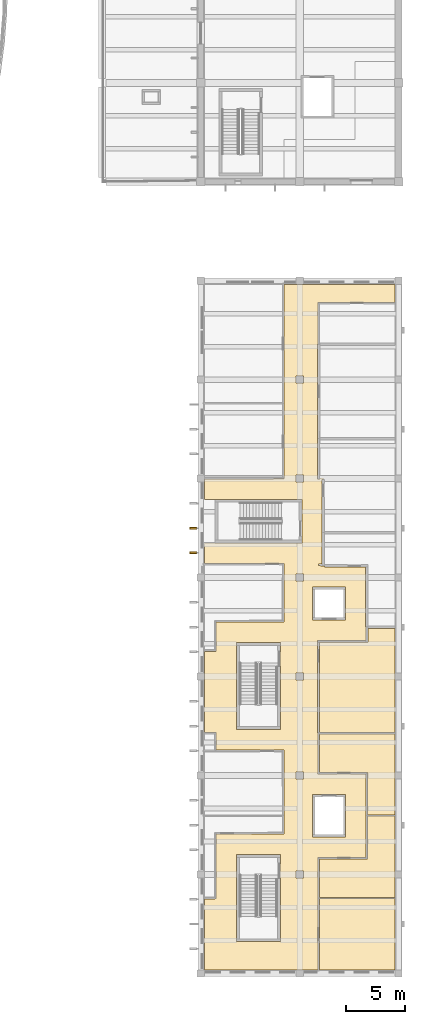
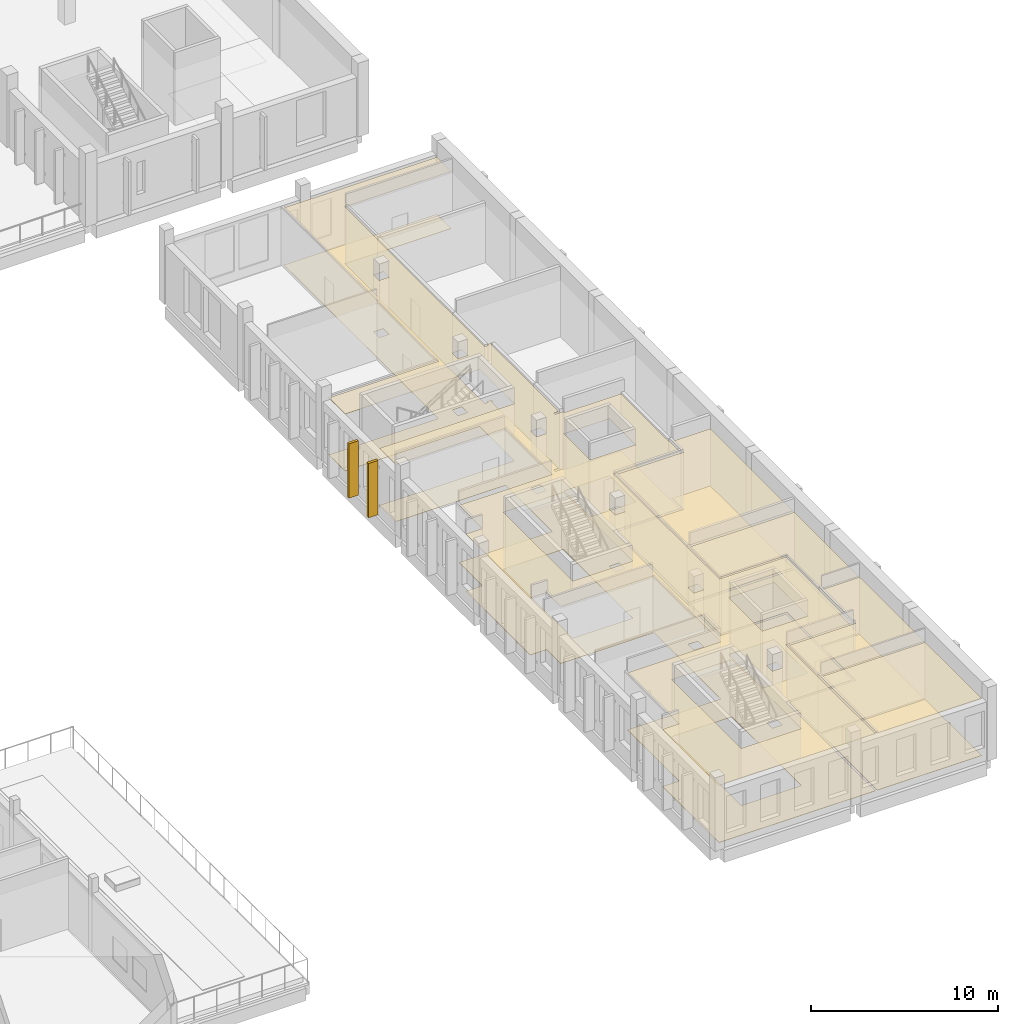
# One storey, part 85 of 103: 12 coverings.
"""IFC4 building model written with IfcOpenShell, lengths in metres."""

from ifc_helpers import new_model, si_unit, direction, frame, origin, place, context, subcontext, project, spatial, polyline, outline, extrude, material, layer, layer_set, type_object, element, save


model = new_model("IFC4")

# Units and contexts
model_context = context("Model", 3, precision=1e-05, world=origin(), true_north=direction((0.0, 1.0)))
body_context = subcontext(model_context, "Body", "Model", "MODEL_VIEW")
ifc_project = project(units=[si_unit("LENGTHUNIT", "METRE"), si_unit("AREAUNIT", "SQUARE_METRE"), si_unit("VOLUMEUNIT", "CUBIC_METRE"), si_unit("PLANEANGLEUNIT", "RADIAN"), si_unit("MASSUNIT", "GRAM", prefix="KILO")], contexts=[model_context])

# Site, building, storey
site_placement = place(None, origin())
site = spatial("IfcSite", under=ifc_project, at=site_placement, CompositionType="ELEMENT")
building_placement = place(site_placement, origin())
building = spatial("IfcBuilding", under=site, at=building_placement, Name="Larchfold Concert Hall", CompositionType="ELEMENT")
storey_placement = place(building_placement, frame((0.0, 0.0, 9.60009765625)))
storey = spatial("IfcBuildingStorey", under=building, at=storey_placement, Name="L02", CompositionType="ELEMENT", Elevation=9.60009765625)

# Coverings
ifc_material_1 = material(Name="Mineral fibre ceiling tile")
ifc_layer_1 = layer(ifc_material_1, 0.02001953125)
ifc_layer_set_1 = layer_set([ifc_layer_1], Name="Mineral fibre ceiling tile")
covering_type_1 = type_object("IfcCoveringType", Name="Ceiling mineral fibre tile 20", PredefinedType="CEILING", material=ifc_layer_set_1)
covering_1_placement = place(storey_placement, frame((0.0, 0.0, 3.719970703125)))
element("IfcCovering", 1, at=covering_1_placement, inside=storey, type_object=covering_type_1, Name="Ceiling Corridor 02", PredefinedType="CEILING", context=body_context, shape_type="SweptSolid", body=[
    extrude(outline(polyline([(84.900146484375, 6.97412109375), (84.900146484375, 0.900146484375), (94.53759765625, 0.900146484375), (94.53857421875, 10.456298828125), (98.636474609375, 10.46337890625), (98.636474609375, 17.53662109375), (98.661376953125, 17.53662109375), (94.53662109375, 17.54638671875), (94.53662109375, 21.02001953125), (94.524169921875, 21.02001953125), (94.523681640625, 28.86669921875), (98.623779296875, 28.875732421875), (98.6240234375, 28.822998046875), (98.6240234375, 30.02001953125), (98.598876953125, 30.02001953125), (98.598876953125, 35.09912109375), (98.654541015625, 35.09912109375), (95.0986328125, 35.108642578125), (95.098876953125, 35.20849609375), (94.59912109375, 35.209716796875), (94.607421875, 35.3505859375), (94.89892578125, 35.350830078125), (94.89892578125, 42.549072265625), (94.9990234375, 42.549072265625), (94.9990234375, 42.649169921875), (94.69921875, 42.65673828125), (94.69921875, 42.55908203125), (94.4990234375, 42.55908203125), (94.5, 54.02001953125), (94.53759765625, 54.02001953125), (94.53759765625, 57.553466796875), (101.099853515625, 57.5625), (101.099853515625, 59.099853515625), (91.66259765625, 59.099853515625), (91.66357421875, 42.594482421875), (84.920166015625, 42.58642578125), (84.920166015625, 42.649169921875), (84.900146484375, 42.649169921875), (84.900146484375, 40.840087890625), (85.800048828125, 40.841064453125), (85.800048828125, 40.85009765625), (93.199951171875, 40.85009765625), (93.199951171875, 37.14990234375), (85.800048828125, 37.14990234375), (85.800048828125, 37.159912109375), (84.900146484375, 37.159912109375), (84.900146484375, 35.41357421875), (91.66357421875, 35.404541015625), (91.659423828125, 30.4384765625), (85.91357421875, 30.4365234375), (85.91357421875, 30.4990234375), (85.9130859375, 27.94384765625), (84.900390625, 27.9375), (84.900146484375, 27.9609375), (84.900146484375, 21.0625), (85.911865234375, 21.05712890625), (85.913330078125, 19.5634765625), (85.850830078125, 19.5634765625), (91.661376953125, 19.5595703125), (91.66357421875, 12.446533203125), (85.91357421875, 12.4365234375), (85.9140625, 6.947021484375), (84.900390625, 6.9375), (84.900146484375, 6.97412109375)]), holes=[polyline([(96.89990234375, 15.800048828125), (96.89990234375, 12.199951171875), (94.10009765625, 12.199951171875), (94.10009765625, 15.800048828125), (96.89990234375, 15.800048828125)]), polyline([(96.89990234375, 33.39990234375), (96.89990234375, 30.60009765625), (94.10009765625, 30.60009765625), (94.10009765625, 33.39990234375), (96.89990234375, 33.39990234375)]), polyline([(92.699951171875, 9.300048828125), (93.300048828125, 9.300048828125), (93.300048828125, 8.699951171875), (92.699951171875, 8.699951171875), (92.699951171875, 9.300048828125)]), polyline([(92.699951171875, 17.699951171875), (93.300048828125, 17.699951171875), (93.300048828125, 17.099853515625), (92.699951171875, 17.099853515625), (92.699951171875, 17.699951171875)]), polyline([(92.699951171875, 26.10009765625), (93.300048828125, 26.10009765625), (93.300048828125, 25.5), (92.699951171875, 25.5), (92.699951171875, 26.10009765625)]), polyline([(92.699951171875, 34.5), (93.300048828125, 34.5), (93.300048828125, 33.89990234375), (92.699951171875, 33.89990234375), (92.699951171875, 34.5)]), polyline([(92.699951171875, 42.900146484375), (93.300048828125, 42.900146484375), (93.300048828125, 42.300048828125), (92.699951171875, 42.300048828125), (92.699951171875, 42.900146484375)]), polyline([(93.300048828125, 51.300048828125), (93.300048828125, 50.699951171875), (92.699951171875, 50.699951171875), (92.699951171875, 51.300048828125), (93.300048828125, 51.300048828125)]), polyline([(91.35009765625, 10.699951171875), (91.35009765625, 3.303955078125), (87.64990234375, 3.300048828125), (87.64990234375, 10.699951171875), (91.35009765625, 10.699951171875)]), polyline([(91.35009765625, 28.699951171875), (91.35009765625, 21.300048828125), (87.64990234375, 21.300048828125), (87.64990234375, 28.699951171875), (91.35009765625, 28.699951171875)])]), origin(), (0.0, 0.0, 1.0), 0.02001953125),
])
covering_2_placement = place(storey_placement, frame((0.0, 0.0, 3.719970703125)))
element("IfcCovering", 2, at=covering_2_placement, inside=storey, type_object=covering_type_1, Name="Ceiling Library Store", PredefinedType="CEILING", context=body_context, shape_type="SweptSolid", body=[
    extrude(outline(polyline([(94.656982421875, 28.717041015625), (94.674072265625, 28.717041015625), (94.674072265625, 21.02001953125), (94.66162109375, 21.02001953125), (94.66162109375, 21.0), (94.675048828125, 21.0), (94.675048828125, 21.074951171875), (101.099853515625, 21.074951171875), (101.099853515625, 29.89990234375), (98.800048828125, 29.89990234375), (98.800048828125, 30.0), (98.77392578125, 30.0), (98.77392578125, 28.72607421875), (94.656982421875, 28.717041015625)])), origin(), (0.0, 0.0, 1.0), 0.02001953125),
])
ifc_material_2 = material(Name="Plasterboard ceiling lining")
ifc_layer_2 = layer(ifc_material_2, 0.030029296875)
ifc_layer_set_2 = layer_set([ifc_layer_2], Name="Plasterboard ceiling lining")
covering_type_2 = type_object("IfcCoveringType", Name="Ceiling suspended plasterboard 30", PredefinedType="CEILING", material=ifc_layer_set_2)
covering_3_placement = place(storey_placement, frame((0.0, 0.0, 3.7099609375)))
element("IfcCovering", 3, at=covering_3_placement, inside=storey, type_object=covering_type_2, Name="Ceiling Orchestra Office 05", PredefinedType="CEILING", context=body_context, shape_type="SweptSolid", body=[
    extrude(outline(polyline([(94.6650390625, 7.0), (94.66259765625, 0.900146484375), (101.099853515625, 0.900146484375), (101.099853515625, 6.949951171875), (94.6650390625, 6.949951171875), (94.6650390625, 7.0)])), origin(), (0.0, 0.0, 1.0), 0.030029296875),
])
covering_4_placement = place(storey_placement, frame((0.0, 0.0, 3.7099609375)))
element("IfcCovering", 4, at=covering_4_placement, inside=storey, type_object=covering_type_2, Name="Ceiling Orchestra Office 06", PredefinedType="CEILING", context=body_context, shape_type="SweptSolid", body=[
    extrude(outline(polyline([(94.6650390625, 7.0), (94.6650390625, 7.050048828125), (101.099853515625, 7.050048828125), (101.099853515625, 13.949951171875), (98.764892578125, 13.949951171875), (98.761474609375, 14.0), (98.761474609375, 10.33837890625), (94.66357421875, 10.33154296875), (94.6650390625, 7.0)])), origin(), (0.0, 0.0, 1.0), 0.030029296875),
])
covering_5_placement = place(storey_placement, frame((0.0, 0.0, 3.7099609375)))
element("IfcCovering", 5, at=covering_5_placement, inside=storey, type_object=covering_type_2, Name="Ceiling Orchestra Office 07", PredefinedType="CEILING", context=body_context, shape_type="SweptSolid", body=[
    extrude(outline(polyline([(94.66162109375, 17.60888671875), (94.661865234375, 17.67138671875), (98.76171875, 17.661376953125), (98.761474609375, 14.0), (98.764892578125, 14.050048828125), (101.099853515625, 14.050048828125), (101.099853515625, 20.925048828125), (94.675048828125, 20.925048828125), (94.675048828125, 21.0), (94.66162109375, 21.0), (94.66162109375, 17.60888671875)])), origin(), (0.0, 0.0, 1.0), 0.030029296875),
])
ifc_material_3 = material(Name="Linoleum sheet")
ifc_layer_3 = layer(ifc_material_3, 0.02001953125)
ifc_layer_set_3 = layer_set([ifc_layer_3], Name="Linoleum sheet")
covering_type_3 = type_object("IfcCoveringType", Name="Floor finish vinyl 20", PredefinedType="FLOORING", material=ifc_layer_set_3)
covering_6_placement = place(storey_placement, origin())
element("IfcCovering", 6, at=covering_6_placement, inside=storey, type_object=covering_type_3, Name="Floor finish Corridor 02", PredefinedType="FLOORING", context=body_context, shape_type="SweptSolid", body=[
    extrude(outline(polyline([(84.900146484375, 6.97412109375), (84.900146484375, 0.900146484375), (94.53759765625, 0.900146484375), (94.53857421875, 10.456298828125), (98.636474609375, 10.46337890625), (98.636474609375, 17.53662109375), (98.661376953125, 17.53662109375), (94.53662109375, 17.54638671875), (94.53662109375, 21.02001953125), (94.524169921875, 21.02001953125), (94.523681640625, 28.86669921875), (98.623779296875, 28.875732421875), (98.6240234375, 28.822998046875), (98.6240234375, 30.02001953125), (98.598876953125, 30.02001953125), (98.598876953125, 35.09912109375), (98.654541015625, 35.09912109375), (95.0986328125, 35.108642578125), (95.098876953125, 35.20849609375), (94.59912109375, 35.209716796875), (94.607421875, 35.3505859375), (94.89892578125, 35.350830078125), (94.89892578125, 42.549072265625), (94.9990234375, 42.549072265625), (94.9990234375, 42.649169921875), (94.69921875, 42.65673828125), (94.69921875, 42.55908203125), (94.4990234375, 42.55908203125), (94.5, 54.02001953125), (94.53759765625, 54.02001953125), (94.53759765625, 57.553466796875), (101.099853515625, 57.5625), (101.099853515625, 59.099853515625), (91.66259765625, 59.099853515625), (91.66357421875, 42.594482421875), (84.920166015625, 42.58642578125), (84.920166015625, 42.649169921875), (84.900146484375, 42.649169921875), (84.900146484375, 40.840087890625), (85.800048828125, 40.841064453125), (85.800048828125, 40.85009765625), (93.199951171875, 40.85009765625), (93.199951171875, 37.14990234375), (85.800048828125, 37.14990234375), (85.800048828125, 37.159912109375), (84.900146484375, 37.159912109375), (84.900146484375, 35.41357421875), (91.66357421875, 35.404541015625), (91.659423828125, 30.4384765625), (85.91357421875, 30.4365234375), (85.91357421875, 30.4990234375), (85.9130859375, 27.94384765625), (84.900390625, 27.9375), (84.900146484375, 27.9609375), (84.900146484375, 21.0625), (85.911865234375, 21.05712890625), (85.913330078125, 19.5634765625), (85.850830078125, 19.5634765625), (91.661376953125, 19.5595703125), (91.66357421875, 12.446533203125), (85.91357421875, 12.4365234375), (85.9140625, 6.947021484375), (84.900390625, 6.9375), (84.900146484375, 6.97412109375)]), holes=[polyline([(96.89990234375, 15.800048828125), (96.89990234375, 12.199951171875), (94.10009765625, 12.199951171875), (94.10009765625, 15.800048828125), (96.89990234375, 15.800048828125)]), polyline([(96.89990234375, 33.39990234375), (96.89990234375, 30.60009765625), (94.10009765625, 30.60009765625), (94.10009765625, 33.39990234375), (96.89990234375, 33.39990234375)]), polyline([(92.699951171875, 9.300048828125), (93.300048828125, 9.300048828125), (93.300048828125, 8.699951171875), (92.699951171875, 8.699951171875), (92.699951171875, 9.300048828125)]), polyline([(92.699951171875, 17.699951171875), (93.300048828125, 17.699951171875), (93.300048828125, 17.099853515625), (92.699951171875, 17.099853515625), (92.699951171875, 17.699951171875)]), polyline([(92.699951171875, 26.10009765625), (93.300048828125, 26.10009765625), (93.300048828125, 25.5), (92.699951171875, 25.5), (92.699951171875, 26.10009765625)]), polyline([(92.699951171875, 34.5), (93.300048828125, 34.5), (93.300048828125, 33.89990234375), (92.699951171875, 33.89990234375), (92.699951171875, 34.5)]), polyline([(92.699951171875, 42.900146484375), (93.300048828125, 42.900146484375), (93.300048828125, 42.300048828125), (92.699951171875, 42.300048828125), (92.699951171875, 42.900146484375)]), polyline([(93.300048828125, 51.300048828125), (93.300048828125, 50.699951171875), (92.699951171875, 50.699951171875), (92.699951171875, 51.300048828125), (93.300048828125, 51.300048828125)]), polyline([(91.35009765625, 10.699951171875), (91.35009765625, 3.303955078125), (87.64990234375, 3.300048828125), (87.64990234375, 10.699951171875), (91.35009765625, 10.699951171875)]), polyline([(91.35009765625, 28.699951171875), (91.35009765625, 21.300048828125), (87.64990234375, 21.300048828125), (87.64990234375, 28.699951171875), (91.35009765625, 28.699951171875)])]), origin(), (0.0, 0.0, 1.0), 0.02001953125),
])
covering_7_placement = place(storey_placement, origin())
element("IfcCovering", 7, at=covering_7_placement, inside=storey, type_object=covering_type_3, Name="Floor finish Orchestra Office 05", PredefinedType="FLOORING", context=body_context, shape_type="SweptSolid", body=[
    extrude(outline(polyline([(94.6650390625, 7.0), (94.66259765625, 0.900146484375), (101.099853515625, 0.900146484375), (101.099853515625, 6.949951171875), (94.6650390625, 6.949951171875), (94.6650390625, 7.0)])), origin(), (0.0, 0.0, 1.0), 0.02001953125),
])
covering_8_placement = place(storey_placement, origin())
element("IfcCovering", 8, at=covering_8_placement, inside=storey, type_object=covering_type_3, Name="Floor finish Orchestra Office 06", PredefinedType="FLOORING", context=body_context, shape_type="SweptSolid", body=[
    extrude(outline(polyline([(94.6650390625, 7.0), (94.6650390625, 7.050048828125), (101.099853515625, 7.050048828125), (101.099853515625, 13.949951171875), (98.764892578125, 13.949951171875), (98.761474609375, 14.0), (98.761474609375, 10.33837890625), (94.66357421875, 10.33154296875), (94.6650390625, 7.0)])), origin(), (0.0, 0.0, 1.0), 0.02001953125),
])
covering_9_placement = place(storey_placement, origin())
element("IfcCovering", 9, at=covering_9_placement, inside=storey, type_object=covering_type_3, Name="Floor finish Orchestra Office 07", PredefinedType="FLOORING", context=body_context, shape_type="SweptSolid", body=[
    extrude(outline(polyline([(94.66162109375, 17.60888671875), (94.661865234375, 17.67138671875), (98.76171875, 17.661376953125), (98.761474609375, 14.0), (98.764892578125, 14.050048828125), (101.099853515625, 14.050048828125), (101.099853515625, 20.925048828125), (94.675048828125, 20.925048828125), (94.675048828125, 21.0), (94.66162109375, 21.0), (94.66162109375, 17.60888671875)])), origin(), (0.0, 0.0, 1.0), 0.02001953125),
])
covering_10_placement = place(storey_placement, origin())
element("IfcCovering", 10, at=covering_10_placement, inside=storey, type_object=covering_type_3, Name="Floor finish Library Store", PredefinedType="FLOORING", context=body_context, shape_type="SweptSolid", body=[
    extrude(outline(polyline([(94.656982421875, 28.717041015625), (94.674072265625, 28.717041015625), (94.674072265625, 21.02001953125), (94.66162109375, 21.02001953125), (94.66162109375, 21.0), (94.675048828125, 21.0), (94.675048828125, 21.074951171875), (101.099853515625, 21.074951171875), (101.099853515625, 29.89990234375), (98.800048828125, 29.89990234375), (98.800048828125, 30.0), (98.77392578125, 30.0), (98.77392578125, 28.72607421875), (94.656982421875, 28.717041015625)])), origin(), (0.0, 0.0, 1.0), 0.02001953125),
])
ifc_material_4 = material(Name="Glulam GL30c", Category="wood")
ifc_layer_4 = layer(ifc_material_4, 0.159912109375)
ifc_layer_set_4 = layer_set([ifc_layer_4], Name="Glulam GL30c")
covering_type_4 = type_object("IfcCoveringType", Name="Glulam fin 160x600", PredefinedType="CLADDING", material=ifc_layer_set_4)
covering_11_placement = place(storey_placement, frame((0.0, 0.0, 0.199951171875)))
element("IfcCovering", 11, at=covering_11_placement, inside=storey, type_object=covering_type_4, Name="Glulam fin FN-L02-050", PredefinedType="CLADDING", context=body_context, shape_type="SweptSolid", body=[
    extrude(outline(polyline([(84.275146484375, 36.219970703125), (84.275146484375, 36.3798828125), (83.675048828125, 36.3798828125), (83.675048828125, 36.219970703125), (84.275146484375, 36.219970703125)])), origin(), (0.0, 0.0, 1.0), 3.5400390625),
])
covering_12_placement = place(storey_placement, frame((0.0, 0.0, 0.199951171875)))
element("IfcCovering", 12, at=covering_12_placement, inside=storey, type_object=covering_type_4, Name="Glulam fin FN-L02-051", PredefinedType="CLADDING", context=body_context, shape_type="SweptSolid", body=[
    extrude(outline(polyline([(84.275146484375, 38.320068359375), (84.275146484375, 38.47998046875), (83.675048828125, 38.47998046875), (83.675048828125, 38.320068359375), (84.275146484375, 38.320068359375)])), origin(), (0.0, 0.0, 1.0), 3.5400390625),
])

save(model, "model.ifc")
